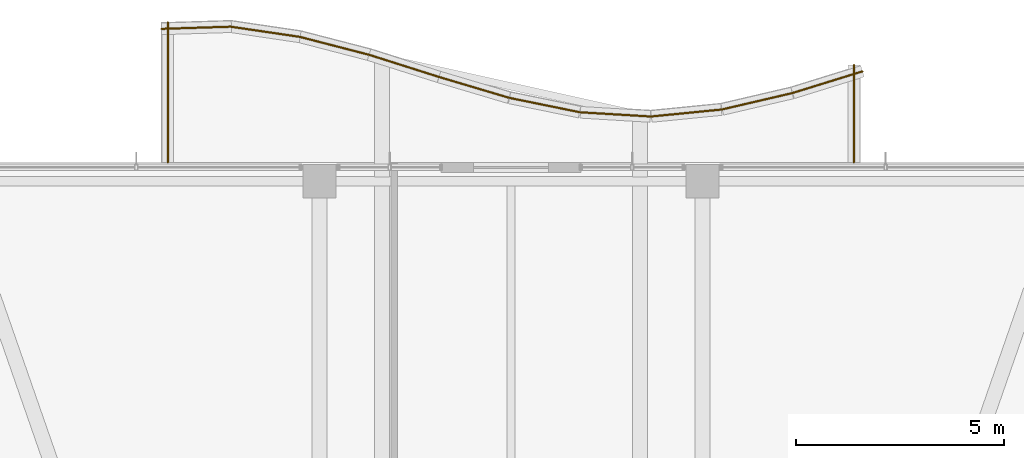
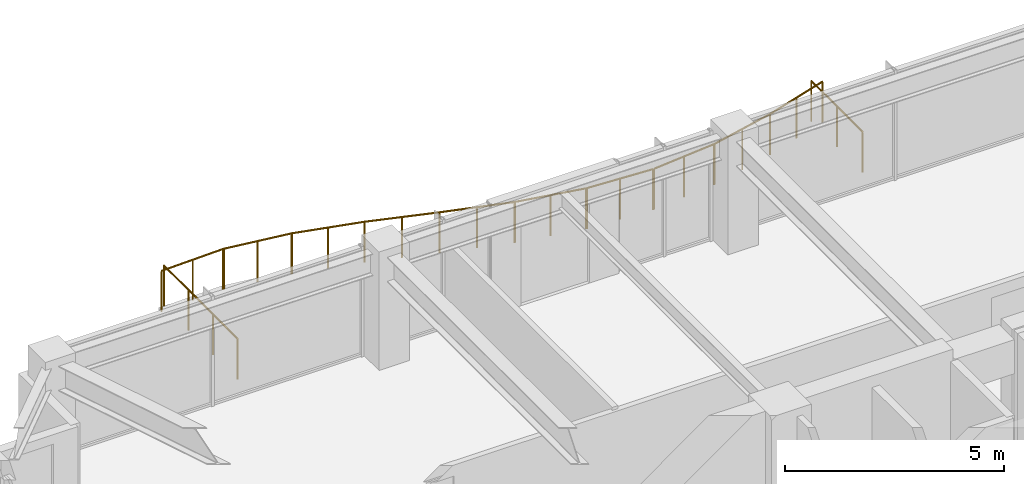
# One storey, part 36 of 36: 12 railings.
"""IFC4 building model written with IfcOpenShell, lengths in metres."""

from ifc_helpers import new_model, si_unit, direction, frame, origin, origin_2d, place, context, subcontext, project, spatial, circle, extrude, material, type_object, element, save


model = new_model("IFC4")

# Units and contexts
model_context = context("Model", 3, precision=1e-05, world=origin(), true_north=direction((0.0, 1.0)))
body_context = subcontext(model_context, "Body", "Model", "MODEL_VIEW")
ifc_project = project(units=[si_unit("LENGTHUNIT", "METRE"), si_unit("AREAUNIT", "SQUARE_METRE"), si_unit("VOLUMEUNIT", "CUBIC_METRE"), si_unit("PLANEANGLEUNIT", "RADIAN"), si_unit("MASSUNIT", "GRAM", prefix="KILO")], contexts=[model_context])

# Site, building, storey
site_placement = place(None, origin())
site = spatial("IfcSite", under=ifc_project, at=site_placement, CompositionType="ELEMENT")
building_placement = place(site_placement, origin())
building = spatial("IfcBuilding", under=site, at=building_placement, Name="Kolvaren Belvedere", CompositionType="ELEMENT")
storey_placement = place(building_placement, frame((0.0, 0.0, 196.5)))
storey = spatial("IfcBuildingStorey", under=building, at=storey_placement, Name="L57", CompositionType="ELEMENT", Elevation=196.5)

# Railings
ifc_material = material(Name="Anodised pale-metal aluminium & laminated glass guard", Category="aluminium")
railing_type = type_object("IfcRailingType", Name="RL-GUARD-1150", PredefinedType="GUARDRAIL", material=ifc_material)
railing_1_placement = place(storey_placement, frame((8.239990234375, 20.39990234375, 0.3798828125)))
element("IfcRailing", 1, at=railing_1_placement, inside=storey, type_object=railing_type, Name="L57 Exterior Deck Safety Guard BAL-N-11", PredefinedType="GUARDRAIL", context=body_context, shape_type="SweptSolid", body=[
    extrude(circle(Radius=0.02392578125, at=origin_2d()), frame((0.0, 0.0, 1.1259765625), z_axis=(0.0, 1.0, 0.0), x_axis=(-1.0, 0.0, 0.0)), (0.0, 0.0, 1.0), 2.340087890625),
    extrude(circle(Radius=0.02099609375, at=origin_2d()), origin(), (0.0, 0.0, 1.0), 1.101806640625),
    extrude(circle(Radius=0.02099609375, at=origin_2d()), frame((0.0, 1.169921875, 0.0)), (0.0, 0.0, 1.0), 1.101806640625),
    extrude(circle(Radius=0.02099609375, at=origin_2d()), frame((0.0, 2.340087890625, 0.0)), (0.0, 0.0, 1.0), 1.101806640625),
])
railing_2_placement = place(storey_placement, frame((8.447265625, 22.587158203125, 0.3798828125)))
element("IfcRailing", 2, at=railing_2_placement, inside=storey, type_object=railing_type, Name="L57 Exterior Deck Safety Guard BAL-N-12", PredefinedType="GUARDRAIL", context=body_context, shape_type="SweptSolid", body=[
    extrude(circle(Radius=0.02392578125, at=origin_2d()), frame((0.0, 0.0, 1.1259765625), z_axis=(-0.95524013163, -0.295831524561, 0.0), x_axis=(0.295831524561, -0.95524013163, 0.0)), (0.0, 0.0, 1.0), 1.758544921875),
    extrude(circle(Radius=0.02099609375, at=origin_2d()), origin(), (0.0, 0.0, 1.0), 1.101806640625),
    extrude(circle(Radius=0.02099609375, at=origin_2d()), frame((-0.83984375, -0.26025390625, 0.0)), (0.0, 0.0, 1.0), 1.101806640625),
    extrude(circle(Radius=0.02099609375, at=origin_2d()), frame((-1.679931640625, -0.520263671875, 0.0)), (0.0, 0.0, 1.0), 1.101806640625),
])
railing_3_placement = place(storey_placement, frame((6.75634765625, 22.06396484375, 0.3798828125)))
element("IfcRailing", 3, at=railing_3_placement, inside=storey, type_object=railing_type, Name="L57 Exterior Deck Safety Guard BAL-N-13", PredefinedType="GUARDRAIL", context=body_context, shape_type="SweptSolid", body=[
    extrude(circle(Radius=0.02392578125, at=origin_2d()), frame((0.0, 0.0, 1.1259765625), z_axis=(-0.973890253884, -0.227019323824, 0.0), x_axis=(0.227019323824, -0.973890253884, 0.0)), (0.0, 0.0, 1.0), 1.724853515625),
    extrude(circle(Radius=0.02099609375, at=origin_2d()), origin(), (0.0, 0.0, 1.0), 1.101806640625),
    extrude(circle(Radius=0.02099609375, at=origin_2d()), frame((-0.83984375, -0.19580078125, 0.0)), (0.0, 0.0, 1.0), 1.101806640625),
    extrude(circle(Radius=0.02099609375, at=origin_2d()), frame((-1.679931640625, -0.3916015625, 0.0)), (0.0, 0.0, 1.0), 1.101806640625),
])
railing_4_placement = place(storey_placement, frame((5.0556640625, 21.6689453125, 0.3798828125)))
element("IfcRailing", 4, at=railing_4_placement, inside=storey, type_object=railing_type, Name="L57 Exterior Deck Safety Guard BAL-N-14", PredefinedType="GUARDRAIL", context=body_context, shape_type="SweptSolid", body=[
    extrude(circle(Radius=0.02392578125, at=origin_2d()), frame((0.0, 0.0, 1.1259765625), z_axis=(-0.995152499202, -0.098343801694, 0.0), x_axis=(0.098343801694, -0.995152499202, 0.0)), (0.0, 0.0, 1.0), 1.688232421875),
    extrude(circle(Radius=0.02099609375, at=origin_2d()), origin(), (0.0, 0.0, 1.0), 1.101806640625),
    extrude(circle(Radius=0.02099609375, at=origin_2d()), frame((-0.83984375, -0.0830078125, 0.0)), (0.0, 0.0, 1.0), 1.101806640625),
    extrude(circle(Radius=0.02099609375, at=origin_2d()), frame((-1.679931640625, -0.166015625, 0.0)), (0.0, 0.0, 1.0), 1.101806640625),
])
railing_5_placement = place(storey_placement, frame((3.350341796875, 21.50244140625, 0.3798828125)))
element("IfcRailing", 5, at=railing_5_placement, inside=storey, type_object=railing_type, Name="L57 Exterior Deck Safety Guard BAL-N-15", PredefinedType="GUARDRAIL", context=body_context, shape_type="SweptSolid", body=[
    extrude(circle(Radius=0.02392578125, at=origin_2d()), frame((0.0, 0.0, 1.1259765625), z_axis=(-0.998212296378, 0.059767979379, 0.0), x_axis=(-0.059767979379, -0.998212296378, 0.0)), (0.0, 0.0, 1.0), 1.682861328125),
    extrude(circle(Radius=0.02099609375, at=origin_2d()), origin(), (0.0, 0.0, 1.0), 1.101806640625),
    extrude(circle(Radius=0.02099609375, at=origin_2d()), frame((-0.83984375, 0.05029296875, 0.0)), (0.0, 0.0, 1.0), 1.101806640625),
    extrude(circle(Radius=0.02099609375, at=origin_2d()), frame((-1.679931640625, 0.1005859375, 0.0)), (0.0, 0.0, 1.0), 1.101806640625),
])
railing_6_placement = place(storey_placement, frame((1.64794921875, 21.60595703125, 0.3798828125)))
element("IfcRailing", 6, at=railing_6_placement, inside=storey, type_object=railing_type, Name="L57 Exterior Deck Safety Guard BAL-N-16", PredefinedType="GUARDRAIL", context=body_context, shape_type="SweptSolid", body=[
    extrude(circle(Radius=0.02392578125, at=origin_2d()), frame((0.0, 0.0, 1.1259765625), z_axis=(-0.979839912937, 0.199784246163, 0.0), x_axis=(-0.199784246163, -0.979839912937, 0.0)), (0.0, 0.0, 1.0), 1.714599609375),
    extrude(circle(Radius=0.02099609375, at=origin_2d()), origin(), (0.0, 0.0, 1.0), 1.101806640625),
    extrude(circle(Radius=0.02099609375, at=origin_2d()), frame((-0.83984375, 0.17138671875, 0.0)), (0.0, 0.0, 1.0), 1.101806640625),
    extrude(circle(Radius=0.02099609375, at=origin_2d()), frame((-1.679931640625, 0.342529296875, 0.0)), (0.0, 0.0, 1.0), 1.101806640625),
])
railing_7_placement = place(storey_placement, frame((-0.045654296875, 21.951904296875, 0.3798828125)))
element("IfcRailing", 7, at=railing_7_placement, inside=storey, type_object=railing_type, Name="L57 Exterior Deck Safety Guard BAL-N-17", PredefinedType="GUARDRAIL", context=body_context, shape_type="SweptSolid", body=[
    extrude(circle(Radius=0.02392578125, at=origin_2d()), frame((0.0, 0.0, 1.1259765625), z_axis=(-0.95856309129, 0.284880325779, 0.0), x_axis=(-0.284880325779, -0.95856309129, 0.0)), (0.0, 0.0, 1.0), 1.75244140625),
    extrude(circle(Radius=0.02099609375, at=origin_2d()), origin(), (0.0, 0.0, 1.0), 1.101806640625),
    extrude(circle(Radius=0.02099609375, at=origin_2d()), frame((-0.83984375, 0.24951171875, 0.0)), (0.0, 0.0, 1.0), 1.101806640625),
    extrude(circle(Radius=0.02099609375, at=origin_2d()), frame((-1.679931640625, 0.499267578125, 0.0)), (0.0, 0.0, 1.0), 1.101806640625),
])
railing_8_placement = place(storey_placement, frame((-1.728515625, 22.4521484375, 0.3798828125)))
element("IfcRailing", 8, at=railing_8_placement, inside=storey, type_object=railing_type, Name="L57 Exterior Deck Safety Guard BAL-N-18", PredefinedType="GUARDRAIL", context=body_context, shape_type="SweptSolid", body=[
    extrude(circle(Radius=0.02392578125, at=origin_2d()), frame((0.0, 0.0, 1.1259765625), z_axis=(-0.953181954832, 0.302397356111, 0.0), x_axis=(-0.302397356111, -0.953181954832, 0.0)), (0.0, 0.0, 1.0), 1.762451171875),
    extrude(circle(Radius=0.02099609375, at=origin_2d()), origin(), (0.0, 0.0, 1.0), 1.101806640625),
    extrude(circle(Radius=0.02099609375, at=origin_2d()), frame((-0.83984375, 0.2666015625, 0.0)), (0.0, 0.0, 1.0), 1.101806640625),
    extrude(circle(Radius=0.02099609375, at=origin_2d()), frame((-1.679931640625, 0.532958984375, 0.0)), (0.0, 0.0, 1.0), 1.101806640625),
])
railing_9_placement = place(storey_placement, frame((-3.400146484375, 22.982666015625, 0.3798828125)))
element("IfcRailing", 9, at=railing_9_placement, inside=storey, type_object=railing_type, Name="L57 Exterior Deck Safety Guard BAL-N-19", PredefinedType="GUARDRAIL", context=body_context, shape_type="SweptSolid", body=[
    extrude(circle(Radius=0.02392578125, at=origin_2d()), frame((0.0, 0.0, 1.1259765625), z_axis=(-0.968132209145, 0.250439664624, 0.0), x_axis=(-0.250439664624, -0.968132209145, 0.0)), (0.0, 0.0, 1.0), 1.7353515625),
    extrude(circle(Radius=0.02099609375, at=origin_2d()), origin(), (0.0, 0.0, 1.0), 1.101806640625),
    extrude(circle(Radius=0.02099609375, at=origin_2d()), frame((-0.83984375, 0.21728515625, 0.0)), (0.0, 0.0, 1.0), 1.101806640625),
    extrude(circle(Radius=0.02099609375, at=origin_2d()), frame((-1.679931640625, 0.4345703125, 0.0)), (0.0, 0.0, 1.0), 1.101806640625),
])
railing_10_placement = place(storey_placement, frame((-5.063232421875, 23.413818359375, 0.3798828125)))
element("IfcRailing", 10, at=railing_10_placement, inside=storey, type_object=railing_type, Name="L57 Exterior Deck Safety Guard BAL-N-20", PredefinedType="GUARDRAIL", context=body_context, shape_type="SweptSolid", body=[
    extrude(circle(Radius=0.02392578125, at=origin_2d()), frame((0.0, 0.0, 1.1259765625), z_axis=(-0.98929818871, 0.145907826437, 0.0), x_axis=(-0.145907826437, -0.98929818871, 0.0)), (0.0, 0.0, 1.0), 1.6982421875),
    extrude(circle(Radius=0.02099609375, at=origin_2d()), origin(), (0.0, 0.0, 1.0), 1.101806640625),
    extrude(circle(Radius=0.02099609375, at=origin_2d()), frame((-0.840087890625, 0.1240234375, 0.0)), (0.0, 0.0, 1.0), 1.101806640625),
    extrude(circle(Radius=0.02099609375, at=origin_2d()), frame((-1.68017578125, 0.247802734375, 0.0)), (0.0, 0.0, 1.0), 1.101806640625),
])
railing_11_placement = place(storey_placement, frame((-6.715087890625, 23.66015625, 0.3798828125)))
element("IfcRailing", 11, at=railing_11_placement, inside=storey, type_object=railing_type, Name="L57 Exterior Deck Safety Guard BAL-N-21", PredefinedType="GUARDRAIL", context=body_context, shape_type="SweptSolid", body=[
    extrude(circle(Radius=0.02392578125, at=origin_2d()), frame((0.0, 0.0, 1.1259765625), z_axis=(-0.999503107358, -0.031520443874, 0.0), x_axis=(0.031520443874, -0.999503107358, 0.0)), (0.0, 0.0, 1.0), 1.6806640625),
    extrude(circle(Radius=0.02099609375, at=origin_2d()), origin(), (0.0, 0.0, 1.0), 1.101806640625),
    extrude(circle(Radius=0.02099609375, at=origin_2d()), frame((-0.83984375, -0.0263671875, 0.0)), (0.0, 0.0, 1.0), 1.101806640625),
    extrude(circle(Radius=0.02099609375, at=origin_2d()), frame((-1.679931640625, -0.052978515625, 0.0)), (0.0, 0.0, 1.0), 1.101806640625),
])
railing_12_placement = place(storey_placement, frame((-8.239990234375, 23.76708984375, 0.3798828125)))
element("IfcRailing", 12, at=railing_12_placement, inside=storey, type_object=railing_type, Name="L57 Exterior Deck Safety Guard BAL-N-22", PredefinedType="GUARDRAIL", context=body_context, shape_type="SweptSolid", body=[
    extrude(circle(Radius=0.02392578125, at=origin_2d()), frame((0.0, 0.0, 1.1259765625), z_axis=(0.0, -1.0, 0.0), x_axis=(1.0, 0.0, 0.0)), (0.0, 0.0, 1.0), 3.3671875),
    extrude(circle(Radius=0.02099609375, at=origin_2d()), origin(), (0.0, 0.0, 1.0), 1.101806640625),
    extrude(circle(Radius=0.02099609375, at=origin_2d()), frame((0.0, -1.122314453125, 0.0)), (0.0, 0.0, 1.0), 1.101806640625),
    extrude(circle(Radius=0.02099609375, at=origin_2d()), frame((0.0, -2.244873046875, 0.0)), (0.0, 0.0, 1.0), 1.101806640625),
    extrude(circle(Radius=0.02099609375, at=origin_2d()), frame((0.0, -3.3671875, 0.0)), (0.0, 0.0, 1.0), 1.101806640625),
])

save(model, "model.ifc")
